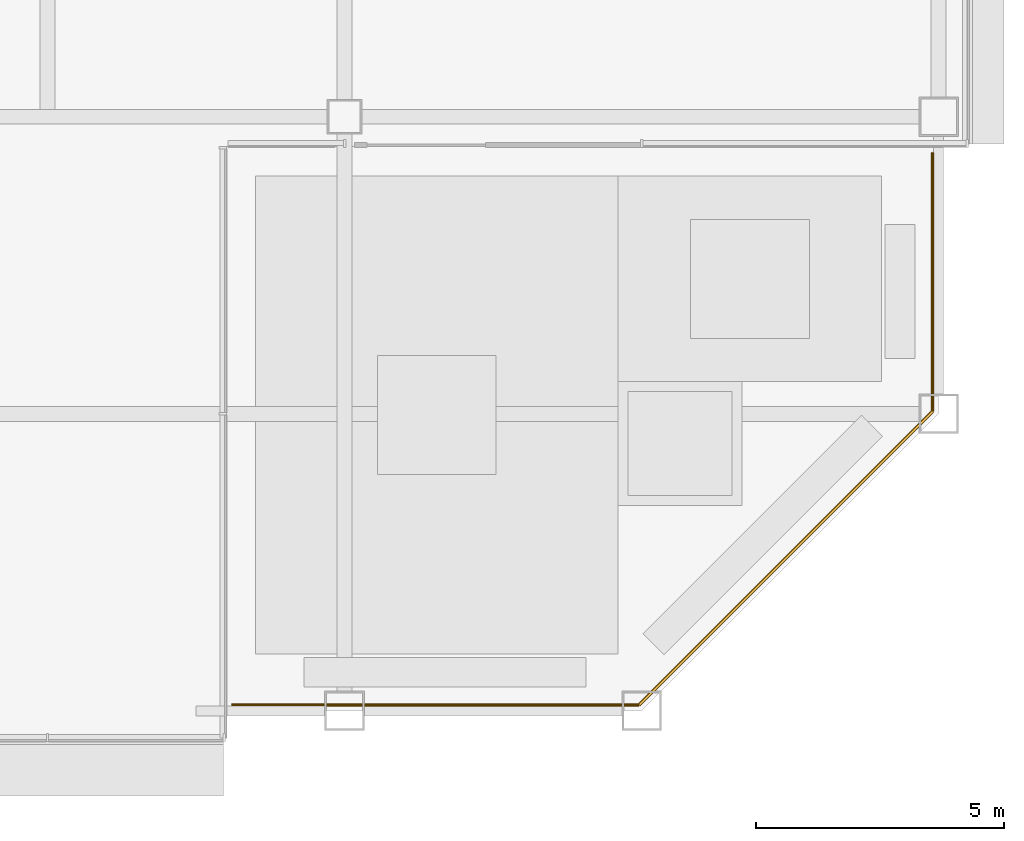
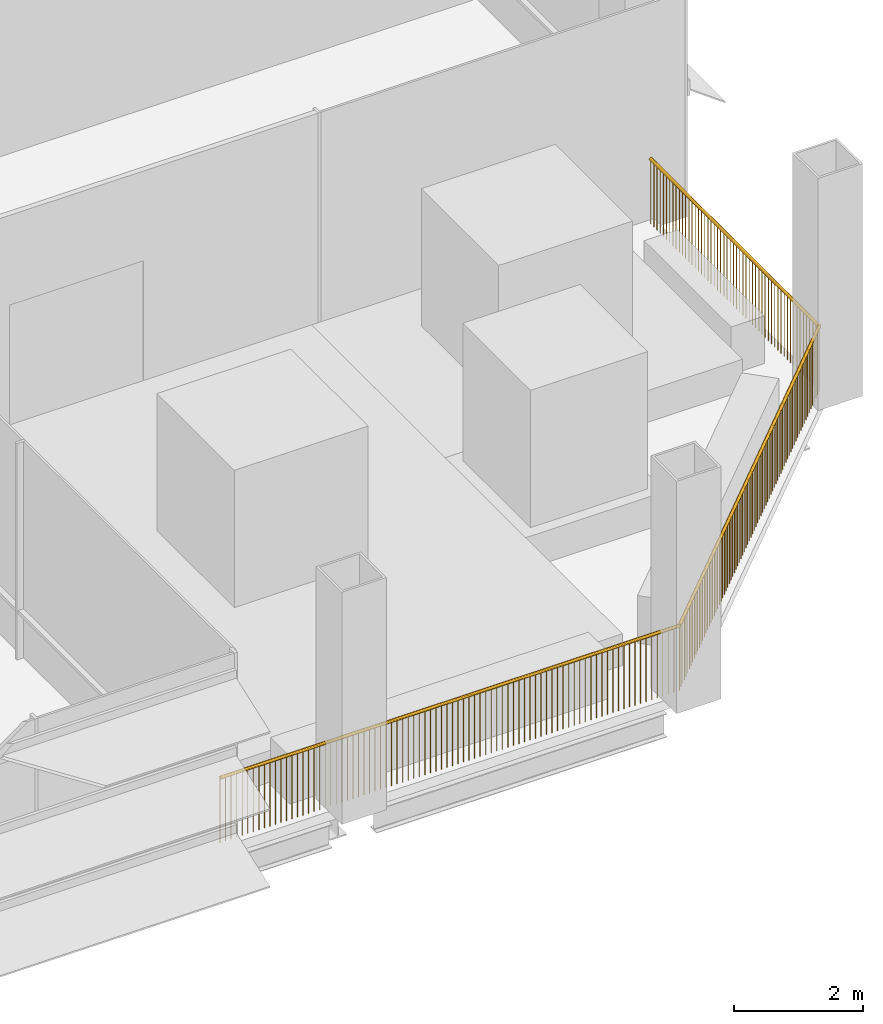
# One storey, part 25 of 28: 1 railing.
"""IFC4 building model written with IfcOpenShell, lengths in metres."""

import ifcopenshell
import ifcopenshell.guid

model = None  # the IFC model being written
_history = None  # IfcOwnerHistory: only IFC2X3 demands one
_inside = {}  # id of a spatial element -> (the spatial element, [elements in it])
_under = {}  # id of a project, library or spatial element -> (it, [spatial elements below it])
_declared = {}  # id of a project -> (the project, [libraries it declares])
_typed = {}  # id of a type object -> (the type object, [elements of that type])
_made_of = {}  # id of a material, layer set ... -> (it, [elements and type objects made of it])


def new_model(schema):
    """Start an empty IFC model of exactly this schema.

    Asked for "IFC4X3", IfcOpenShell would pick the latest addendum, in which some entities
    have other attributes; the version numbers below select the first issue.
    IFC2X3 requires an IfcOwnerHistory on every rooted entity: one is made here for all.
    """
    global model, _history
    if schema == "IFC4X3":
        model = ifcopenshell.file(schema_version=(4, 3, 0, 0))
    else:
        model = ifcopenshell.file(schema=schema)
    _inside.clear()
    _under.clear()
    _declared.clear()
    _typed.clear()
    _made_of.clear()
    _history = None
    if model.schema == "IFC2X3":
        org = make("IfcOrganization", Name="unknown")
        user = make(
            "IfcPersonAndOrganization",
            ThePerson=make("IfcPerson", FamilyName="unknown"),
            TheOrganization=org,
        )
        app = make(
            "IfcApplication",
            ApplicationDeveloper=org,
            Version="unknown",
            ApplicationFullName="unknown",
            ApplicationIdentifier="unknown",
        )
        _history = make(
            "IfcOwnerHistory",
            OwningUser=user,
            OwningApplication=app,
            ChangeAction="ADDED",
            CreationDate=0,
        )
    return model


def make(cls, **values):
    """One entity of the class cls with the attributes given. An attribute that is None is left unset."""
    return model.create_entity(
        cls, **{name: value for name, value in values.items() if value is not None}
    )


def rooted(cls, **values):
    """An entity with a GlobalId (a new one), such as an element, a storey or a relation."""
    return make(cls, GlobalId=ifcopenshell.guid.new(), OwnerHistory=_history, **values)


def si_unit(unit_type, name, prefix=None):
    """IfcSIUnit, for example si_unit("LENGTHUNIT", "METRE", prefix="MILLI")."""
    return make("IfcSIUnit", UnitType=unit_type, Prefix=prefix, Name=name)


def assignment(units):
    """IfcUnitAssignment: the units of a project."""
    return None if units is None else make("IfcUnitAssignment", Units=units)


def point(xyz):
    """IfcCartesianPoint."""
    return None if xyz is None else make("IfcCartesianPoint", Coordinates=xyz)


def direction(xyz):
    """IfcDirection."""
    return None if xyz is None else make("IfcDirection", DirectionRatios=xyz)


def frame(location, z_axis=None, x_axis=None):
    """IfcAxis2Placement3D, a coordinate frame: its origin and axes. An axis left out is left unset."""
    return make(
        "IfcAxis2Placement3D",
        Location=point(location),
        Axis=direction(z_axis),
        RefDirection=direction(x_axis),
    )


def frame_2d(location, x_axis=None):
    """IfcAxis2Placement2D, a coordinate frame in the plane: its origin and x axis."""
    return make(
        "IfcAxis2Placement2D", Location=point(location), RefDirection=direction(x_axis)
    )


def origin():
    """The frame at (0, 0, 0) with its axes left unset."""
    return frame((0.0, 0.0, 0.0))


def origin_2d():
    """The frame at (0, 0) in the plane with its x axis left unset."""
    return frame_2d((0.0, 0.0))


def place(relative_to, where):
    """IfcLocalPlacement: puts the frame where relative to a parent placement (None: the world)."""
    return make(
        "IfcLocalPlacement", PlacementRelTo=relative_to, RelativePlacement=where
    )


def context(
    kind, dimensions, precision=None, world=None, true_north=None, identifier=None
):
    """IfcGeometricRepresentationContext, for example the 3D "Model" context."""
    return make(
        "IfcGeometricRepresentationContext",
        ContextIdentifier=identifier,
        ContextType=kind,
        CoordinateSpaceDimension=dimensions,
        Precision=precision,
        WorldCoordinateSystem=world,
        TrueNorth=true_north,
    )


def subcontext(parent, identifier, kind, view, scale=None):
    """IfcGeometricRepresentationSubContext, for example "Body" below "Model"."""
    return make(
        "IfcGeometricRepresentationSubContext",
        ContextIdentifier=identifier,
        ContextType=kind,
        ParentContext=parent,
        TargetScale=scale,
        TargetView=view,
    )


def project(units=None, contexts=None):
    """IfcProject with its units and contexts."""
    return rooted(
        "IfcProject",
        Name="project",
        RepresentationContexts=contexts,
        UnitsInContext=assignment(units),
    )


def spatial(cls, under=None, at=None, **own):
    """A site, building, storey or space (cls), placed at a placement, below another one or the project."""
    s = rooted(cls, ObjectPlacement=at, **own)
    if under is not None:
        _under.setdefault(under.id(), (under, []))[1].append(s)
    return s


def profile(cls, at=None, kind="AREA", **sizes):
    """A parametric profile (cls). Its sizes go by their IFC names, for example OverallWidth=200.0."""
    return make(cls, ProfileType=kind, Position=at, **sizes)


def circle(**sizes):
    """IfcCircleProfileDef."""
    return profile("IfcCircleProfileDef", **sizes)


def extrude(swept, where, along, depth):
    """IfcExtrudedAreaSolid: the profile swept, set in the frame where, extruded along a direction by depth."""
    return make(
        "IfcExtrudedAreaSolid",
        SweptArea=swept,
        Position=where,
        ExtrudedDirection=direction(along),
        Depth=depth,
    )


def shape(context_of_items, identifier, shape_type, items):
    """IfcShapeRepresentation: the items that make up one representation, for example the "Body"."""
    return make(
        "IfcShapeRepresentation",
        ContextOfItems=context_of_items,
        RepresentationIdentifier=identifier,
        RepresentationType=shape_type,
        Items=items,
    )


def material(Name=None, Category=None):
    """IfcMaterial."""
    return make("IfcMaterial", Name=Name, Category=Category)


def made_of(thing, what):
    """Note that an element or type object is made of a material, layer set ...; save() writes the relation."""
    if what is not None:
        _made_of.setdefault(what.id(), (what, []))[1].append(thing)
    return thing


def type_object(cls, material=None, **own):
    """A type object (cls), such as IfcWallType, which elements share."""
    return made_of(rooted(cls, **own), material)


def element(
    cls,
    number,
    at=None,
    inside=None,
    cuts=None,
    type_object=None,
    material=None,
    context=None,
    identifier="Body",
    shape_type=None,
    held_by="IfcProductDefinitionShape",
    body=None,
    shapes=None,
    **own,
):
    """One element of the class cls, such as IfcWall. Its Tag is "e" and its number.

    at: its placement. inside: the storey or other place that contains it. cuts: it is an
    opening in that element (IfcRelVoidsElement). A single representation is given by context,
    identifier, shape_type and body (its items); several are given by shapes. held_by: the class
    of the entity that holds the representations. save() writes the other relations.
    """
    e = rooted(cls, Tag="e%d" % number, ObjectPlacement=at, **own)
    if body is not None:
        shapes = [shape(context, identifier, shape_type, body)]
    if shapes is not None:
        e.Representation = make(held_by, Representations=shapes)
    if inside is not None:
        _inside.setdefault(inside.id(), (inside, []))[1].append(e)
    if cuts is not None:
        rooted(
            "IfcRelVoidsElement", RelatingBuildingElement=cuts, RelatedOpeningElement=e
        )
    if type_object is not None:
        _typed.setdefault(type_object.id(), (type_object, []))[1].append(e)
    return made_of(e, material)


def aggregate(whole, parts):
    """IfcRelAggregates: a whole, such as a stair, and the parts it consists of."""
    return rooted("IfcRelAggregates", RelatingObject=whole, RelatedObjects=parts)


def save(model, path):
    """Write the relations noted so far, then the file.

    IfcRelAggregates (storeys below a building ...), IfcRelContainedInSpatialStructure (elements
    in a storey), IfcRelDefinesByType, IfcRelAssociatesMaterial and IfcRelDeclares: one each for
    every whole, place, type object, material and project.
    """
    for whole, parts in _under.values():
        aggregate(whole, parts)
    for where, things in _inside.values():
        rooted(
            "IfcRelContainedInSpatialStructure",
            RelatedElements=things,
            RelatingStructure=where,
        )
    for kind, things in _typed.values():
        rooted("IfcRelDefinesByType", RelatedObjects=things, RelatingType=kind)
    for what, things in _made_of.values():
        rooted("IfcRelAssociatesMaterial", RelatedObjects=things, RelatingMaterial=what)
    for by, libraries in _declared.values():
        rooted("IfcRelDeclares", RelatingContext=by, RelatedDefinitions=libraries)
    model.write(path)


model = new_model("IFC4")

# Units and contexts
model_context = context("Model", 3, precision=1e-05, world=origin(), true_north=direction((0.0, 1.0)))
body_context = subcontext(model_context, "Body", "Model", "MODEL_VIEW")
ifc_project = project(units=[si_unit("LENGTHUNIT", "METRE"), si_unit("AREAUNIT", "SQUARE_METRE"), si_unit("VOLUMEUNIT", "CUBIC_METRE"), si_unit("PLANEANGLEUNIT", "RADIAN"), si_unit("MASSUNIT", "GRAM", prefix="KILO")], contexts=[model_context])

# Site, building, storey
site_placement = place(None, origin())
site = spatial("IfcSite", under=ifc_project, at=site_placement, CompositionType="ELEMENT")
building_placement = place(site_placement, origin())
building = spatial("IfcBuilding", under=site, at=building_placement, Name="Sorahane Residences", CompositionType="ELEMENT")
storey_placement = place(building_placement, frame((0.0, 0.0, 134.0)))
storey = spatial("IfcBuildingStorey", under=building, at=storey_placement, Name="L30", CompositionType="ELEMENT", Elevation=134.0)

# Railing
ifc_material = material(Name="Clear low-iron glass with a black steel top rail", Category="steel")
railing_type = type_object("IfcRailingType", Name="Terrace guard black steel bars 1260", PredefinedType="GUARDRAIL", material=ifc_material)
railing_placement = place(storey_placement, frame((59.8798828125, 11.280029296875, 0.0)))
element("IfcRailing", 1, at=railing_placement, inside=storey, type_object=railing_type, Name="Terrace guard L30.1.1", PredefinedType="GUARDRAIL", context=body_context, shape_type="SweptSolid", body=[
    extrude(circle(Radius=0.030029296875, at=origin_2d()), frame((0.0, 0.0, 1.22998046875), z_axis=(0.0, -1.0, 0.0), x_axis=(1.0, 0.0, 0.0)), (0.0, 0.0, 1.0), 5.230224609375),
    extrude(circle(Radius=0.030029296875, at=origin_2d()), frame((0.0, -5.230224609375, 1.22998046875), z_axis=(-0.707106781187, -0.707106781187, 0.0), x_axis=(0.707106781187, -0.707106781187, 0.0)), (0.0, 0.0, 1.0), 8.3857421875),
    extrude(circle(Radius=0.030029296875, at=origin_2d()), frame((-5.9296875, -11.159912109375, 1.22998046875), z_axis=(-1.0, 0.0, 0.0), x_axis=(0.0, -1.0, 0.0)), (0.0, 0.0, 1.0), 8.230224609375),
    extrude(circle(Radius=0.0068359375, at=origin_2d()), origin(), (0.0, 0.0, 1.0), 1.199951171875),
    extrude(circle(Radius=0.0068359375, at=origin_2d()), frame((0.0, -0.0986328125, 0.0)), (0.0, 0.0, 1.0), 1.199951171875),
    extrude(circle(Radius=0.0068359375, at=origin_2d()), frame((0.0, -0.197265625, 0.0)), (0.0, 0.0, 1.0), 1.199951171875),
    extrude(circle(Radius=0.0068359375, at=origin_2d()), frame((0.0, -0.296142578125, 0.0)), (0.0, 0.0, 1.0), 1.199951171875),
    extrude(circle(Radius=0.0068359375, at=origin_2d()), frame((0.0, -0.394775390625, 0.0)), (0.0, 0.0, 1.0), 1.199951171875),
    extrude(circle(Radius=0.0068359375, at=origin_2d()), frame((0.0, -0.493408203125, 0.0)), (0.0, 0.0, 1.0), 1.199951171875),
    extrude(circle(Radius=0.0068359375, at=origin_2d()), frame((0.0, -0.592041015625, 0.0)), (0.0, 0.0, 1.0), 1.199951171875),
    extrude(circle(Radius=0.0068359375, at=origin_2d()), frame((0.0, -0.690673828125, 0.0)), (0.0, 0.0, 1.0), 1.199951171875),
    extrude(circle(Radius=0.0068359375, at=origin_2d()), frame((0.0, -0.78955078125, 0.0)), (0.0, 0.0, 1.0), 1.199951171875),
    extrude(circle(Radius=0.0068359375, at=origin_2d()), frame((0.0, -0.88818359375, 0.0)), (0.0, 0.0, 1.0), 1.199951171875),
    extrude(circle(Radius=0.0068359375, at=origin_2d()), frame((0.0, -0.98681640625, 0.0)), (0.0, 0.0, 1.0), 1.199951171875),
    extrude(circle(Radius=0.0068359375, at=origin_2d()), frame((0.0, -1.08544921875, 0.0)), (0.0, 0.0, 1.0), 1.199951171875),
    extrude(circle(Radius=0.0068359375, at=origin_2d()), frame((0.0, -1.18408203125, 0.0)), (0.0, 0.0, 1.0), 1.199951171875),
    extrude(circle(Radius=0.0068359375, at=origin_2d()), frame((0.0, -1.282958984375, 0.0)), (0.0, 0.0, 1.0), 1.199951171875),
    extrude(circle(Radius=0.0068359375, at=origin_2d()), frame((0.0, -1.381591796875, 0.0)), (0.0, 0.0, 1.0), 1.199951171875),
    extrude(circle(Radius=0.0068359375, at=origin_2d()), frame((0.0, -1.480224609375, 0.0)), (0.0, 0.0, 1.0), 1.199951171875),
    extrude(circle(Radius=0.0068359375, at=origin_2d()), frame((0.0, -1.578857421875, 0.0)), (0.0, 0.0, 1.0), 1.199951171875),
    extrude(circle(Radius=0.0068359375, at=origin_2d()), frame((0.0, -1.677734375, 0.0)), (0.0, 0.0, 1.0), 1.199951171875),
    extrude(circle(Radius=0.0068359375, at=origin_2d()), frame((0.0, -1.7763671875, 0.0)), (0.0, 0.0, 1.0), 1.199951171875),
    extrude(circle(Radius=0.0068359375, at=origin_2d()), frame((0.0, -1.875, 0.0)), (0.0, 0.0, 1.0), 1.199951171875),
    extrude(circle(Radius=0.0068359375, at=origin_2d()), frame((0.0, -1.9736328125, 0.0)), (0.0, 0.0, 1.0), 1.199951171875),
    extrude(circle(Radius=0.0068359375, at=origin_2d()), frame((0.0, -2.072265625, 0.0)), (0.0, 0.0, 1.0), 1.199951171875),
    extrude(circle(Radius=0.0068359375, at=origin_2d()), frame((0.0, -2.171142578125, 0.0)), (0.0, 0.0, 1.0), 1.199951171875),
    extrude(circle(Radius=0.0068359375, at=origin_2d()), frame((0.0, -2.269775390625, 0.0)), (0.0, 0.0, 1.0), 1.199951171875),
    extrude(circle(Radius=0.0068359375, at=origin_2d()), frame((0.0, -2.368408203125, 0.0)), (0.0, 0.0, 1.0), 1.199951171875),
    extrude(circle(Radius=0.0068359375, at=origin_2d()), frame((0.0, -2.467041015625, 0.0)), (0.0, 0.0, 1.0), 1.199951171875),
    extrude(circle(Radius=0.0068359375, at=origin_2d()), frame((0.0, -2.565673828125, 0.0)), (0.0, 0.0, 1.0), 1.199951171875),
    extrude(circle(Radius=0.0068359375, at=origin_2d()), frame((0.0, -2.66455078125, 0.0)), (0.0, 0.0, 1.0), 1.199951171875),
    extrude(circle(Radius=0.0068359375, at=origin_2d()), frame((0.0, -2.76318359375, 0.0)), (0.0, 0.0, 1.0), 1.199951171875),
    extrude(circle(Radius=0.0068359375, at=origin_2d()), frame((0.0, -2.86181640625, 0.0)), (0.0, 0.0, 1.0), 1.199951171875),
    extrude(circle(Radius=0.0068359375, at=origin_2d()), frame((0.0, -2.96044921875, 0.0)), (0.0, 0.0, 1.0), 1.199951171875),
    extrude(circle(Radius=0.0068359375, at=origin_2d()), frame((0.0, -3.05908203125, 0.0)), (0.0, 0.0, 1.0), 1.199951171875),
    extrude(circle(Radius=0.0068359375, at=origin_2d()), frame((0.0, -3.157958984375, 0.0)), (0.0, 0.0, 1.0), 1.199951171875),
    extrude(circle(Radius=0.0068359375, at=origin_2d()), frame((0.0, -3.256591796875, 0.0)), (0.0, 0.0, 1.0), 1.199951171875),
    extrude(circle(Radius=0.0068359375, at=origin_2d()), frame((0.0, -3.355224609375, 0.0)), (0.0, 0.0, 1.0), 1.199951171875),
    extrude(circle(Radius=0.0068359375, at=origin_2d()), frame((0.0, -3.453857421875, 0.0)), (0.0, 0.0, 1.0), 1.199951171875),
    extrude(circle(Radius=0.0068359375, at=origin_2d()), frame((0.0, -3.552490234375, 0.0)), (0.0, 0.0, 1.0), 1.199951171875),
    extrude(circle(Radius=0.0068359375, at=origin_2d()), frame((0.0, -3.6513671875, 0.0)), (0.0, 0.0, 1.0), 1.199951171875),
    extrude(circle(Radius=0.0068359375, at=origin_2d()), frame((0.0, -3.75, 0.0)), (0.0, 0.0, 1.0), 1.199951171875),
    extrude(circle(Radius=0.0068359375, at=origin_2d()), frame((0.0, -3.8486328125, 0.0)), (0.0, 0.0, 1.0), 1.199951171875),
    extrude(circle(Radius=0.0068359375, at=origin_2d()), frame((0.0, -3.947265625, 0.0)), (0.0, 0.0, 1.0), 1.199951171875),
    extrude(circle(Radius=0.0068359375, at=origin_2d()), frame((0.0, -4.046142578125, 0.0)), (0.0, 0.0, 1.0), 1.199951171875),
    extrude(circle(Radius=0.0068359375, at=origin_2d()), frame((0.0, -4.144775390625, 0.0)), (0.0, 0.0, 1.0), 1.199951171875),
    extrude(circle(Radius=0.0068359375, at=origin_2d()), frame((0.0, -4.243408203125, 0.0)), (0.0, 0.0, 1.0), 1.199951171875),
    extrude(circle(Radius=0.0068359375, at=origin_2d()), frame((0.0, -4.342041015625, 0.0)), (0.0, 0.0, 1.0), 1.199951171875),
    extrude(circle(Radius=0.0068359375, at=origin_2d()), frame((0.0, -4.440673828125, 0.0)), (0.0, 0.0, 1.0), 1.199951171875),
    extrude(circle(Radius=0.0068359375, at=origin_2d()), frame((0.0, -4.53955078125, 0.0)), (0.0, 0.0, 1.0), 1.199951171875),
    extrude(circle(Radius=0.0068359375, at=origin_2d()), frame((0.0, -4.63818359375, 0.0)), (0.0, 0.0, 1.0), 1.199951171875),
    extrude(circle(Radius=0.0068359375, at=origin_2d()), frame((0.0, -4.73681640625, 0.0)), (0.0, 0.0, 1.0), 1.199951171875),
    extrude(circle(Radius=0.0068359375, at=origin_2d()), frame((0.0, -4.83544921875, 0.0)), (0.0, 0.0, 1.0), 1.199951171875),
    extrude(circle(Radius=0.0068359375, at=origin_2d()), frame((0.0, -4.93408203125, 0.0)), (0.0, 0.0, 1.0), 1.199951171875),
    extrude(circle(Radius=0.0068359375, at=origin_2d()), frame((0.0, -5.032958984375, 0.0)), (0.0, 0.0, 1.0), 1.199951171875),
    extrude(circle(Radius=0.0068359375, at=origin_2d()), frame((0.0, -5.131591796875, 0.0)), (0.0, 0.0, 1.0), 1.199951171875),
    extrude(circle(Radius=0.0068359375, at=origin_2d()), frame((0.0, -5.230224609375, 0.0)), (0.0, 0.0, 1.0), 1.199951171875),
    extrude(circle(Radius=0.0068359375, at=origin_2d()), frame((-0.070556640625, -5.30078125, 0.0)), (0.0, 0.0, 1.0), 1.199951171875),
    extrude(circle(Radius=0.0068359375, at=origin_2d()), frame((-0.14111328125, -5.371337890625, 0.0)), (0.0, 0.0, 1.0), 1.199951171875),
    extrude(circle(Radius=0.0068359375, at=origin_2d()), frame((-0.211669921875, -5.44189453125, 0.0)), (0.0, 0.0, 1.0), 1.199951171875),
    extrude(circle(Radius=0.0068359375, at=origin_2d()), frame((-0.282470703125, -5.5126953125, 0.0)), (0.0, 0.0, 1.0), 1.199951171875),
    extrude(circle(Radius=0.0068359375, at=origin_2d()), frame((-0.35302734375, -5.583251953125, 0.0)), (0.0, 0.0, 1.0), 1.199951171875),
    extrude(circle(Radius=0.0068359375, at=origin_2d()), frame((-0.423583984375, -5.65380859375, 0.0)), (0.0, 0.0, 1.0), 1.199951171875),
    extrude(circle(Radius=0.0068359375, at=origin_2d()), frame((-0.494140625, -5.724365234375, 0.0)), (0.0, 0.0, 1.0), 1.199951171875),
    extrude(circle(Radius=0.0068359375, at=origin_2d()), frame((-0.564697265625, -5.794921875, 0.0)), (0.0, 0.0, 1.0), 1.199951171875),
    extrude(circle(Radius=0.0068359375, at=origin_2d()), frame((-0.63525390625, -5.865478515625, 0.0)), (0.0, 0.0, 1.0), 1.199951171875),
    extrude(circle(Radius=0.0068359375, at=origin_2d()), frame((-0.705810546875, -5.93603515625, 0.0)), (0.0, 0.0, 1.0), 1.199951171875),
    extrude(circle(Radius=0.0068359375, at=origin_2d()), frame((-0.776611328125, -6.0068359375, 0.0)), (0.0, 0.0, 1.0), 1.199951171875),
    extrude(circle(Radius=0.0068359375, at=origin_2d()), frame((-0.84716796875, -6.077392578125, 0.0)), (0.0, 0.0, 1.0), 1.199951171875),
    extrude(circle(Radius=0.0068359375, at=origin_2d()), frame((-0.917724609375, -6.14794921875, 0.0)), (0.0, 0.0, 1.0), 1.199951171875),
    extrude(circle(Radius=0.0068359375, at=origin_2d()), frame((-0.98828125, -6.218505859375, 0.0)), (0.0, 0.0, 1.0), 1.199951171875),
    extrude(circle(Radius=0.0068359375, at=origin_2d()), frame((-1.058837890625, -6.2890625, 0.0)), (0.0, 0.0, 1.0), 1.199951171875),
    extrude(circle(Radius=0.0068359375, at=origin_2d()), frame((-1.12939453125, -6.359619140625, 0.0)), (0.0, 0.0, 1.0), 1.199951171875),
    extrude(circle(Radius=0.0068359375, at=origin_2d()), frame((-1.199951171875, -6.43017578125, 0.0)), (0.0, 0.0, 1.0), 1.199951171875),
    extrude(circle(Radius=0.0068359375, at=origin_2d()), frame((-1.270751953125, -6.5009765625, 0.0)), (0.0, 0.0, 1.0), 1.199951171875),
    extrude(circle(Radius=0.0068359375, at=origin_2d()), frame((-1.34130859375, -6.571533203125, 0.0)), (0.0, 0.0, 1.0), 1.199951171875),
    extrude(circle(Radius=0.0068359375, at=origin_2d()), frame((-1.411865234375, -6.64208984375, 0.0)), (0.0, 0.0, 1.0), 1.199951171875),
    extrude(circle(Radius=0.0068359375, at=origin_2d()), frame((-1.482421875, -6.712646484375, 0.0)), (0.0, 0.0, 1.0), 1.199951171875),
    extrude(circle(Radius=0.0068359375, at=origin_2d()), frame((-1.552978515625, -6.783203125, 0.0)), (0.0, 0.0, 1.0), 1.199951171875),
    extrude(circle(Radius=0.0068359375, at=origin_2d()), frame((-1.62353515625, -6.853759765625, 0.0)), (0.0, 0.0, 1.0), 1.199951171875),
    extrude(circle(Radius=0.0068359375, at=origin_2d()), frame((-1.694091796875, -6.92431640625, 0.0)), (0.0, 0.0, 1.0), 1.199951171875),
    extrude(circle(Radius=0.0068359375, at=origin_2d()), frame((-1.764892578125, -6.9951171875, 0.0)), (0.0, 0.0, 1.0), 1.199951171875),
    extrude(circle(Radius=0.0068359375, at=origin_2d()), frame((-1.83544921875, -7.065673828125, 0.0)), (0.0, 0.0, 1.0), 1.199951171875),
    extrude(circle(Radius=0.0068359375, at=origin_2d()), frame((-1.906005859375, -7.13623046875, 0.0)), (0.0, 0.0, 1.0), 1.199951171875),
    extrude(circle(Radius=0.0068359375, at=origin_2d()), frame((-1.9765625, -7.206787109375, 0.0)), (0.0, 0.0, 1.0), 1.199951171875),
    extrude(circle(Radius=0.0068359375, at=origin_2d()), frame((-2.047119140625, -7.27734375, 0.0)), (0.0, 0.0, 1.0), 1.199951171875),
    extrude(circle(Radius=0.0068359375, at=origin_2d()), frame((-2.11767578125, -7.347900390625, 0.0)), (0.0, 0.0, 1.0), 1.199951171875),
    extrude(circle(Radius=0.0068359375, at=origin_2d()), frame((-2.188232421875, -7.41845703125, 0.0)), (0.0, 0.0, 1.0), 1.199951171875),
    extrude(circle(Radius=0.0068359375, at=origin_2d()), frame((-2.259033203125, -7.4892578125, 0.0)), (0.0, 0.0, 1.0), 1.199951171875),
    extrude(circle(Radius=0.0068359375, at=origin_2d()), frame((-2.32958984375, -7.559814453125, 0.0)), (0.0, 0.0, 1.0), 1.199951171875),
    extrude(circle(Radius=0.0068359375, at=origin_2d()), frame((-2.400146484375, -7.63037109375, 0.0)), (0.0, 0.0, 1.0), 1.199951171875),
    extrude(circle(Radius=0.0068359375, at=origin_2d()), frame((-2.470703125, -7.700927734375, 0.0)), (0.0, 0.0, 1.0), 1.199951171875),
    extrude(circle(Radius=0.0068359375, at=origin_2d()), frame((-2.541259765625, -7.771484375, 0.0)), (0.0, 0.0, 1.0), 1.199951171875),
    extrude(circle(Radius=0.0068359375, at=origin_2d()), frame((-2.61181640625, -7.842041015625, 0.0)), (0.0, 0.0, 1.0), 1.199951171875),
    extrude(circle(Radius=0.0068359375, at=origin_2d()), frame((-2.682373046875, -7.91259765625, 0.0)), (0.0, 0.0, 1.0), 1.199951171875),
    extrude(circle(Radius=0.0068359375, at=origin_2d()), frame((-2.753173828125, -7.9833984375, 0.0)), (0.0, 0.0, 1.0), 1.199951171875),
    extrude(circle(Radius=0.0068359375, at=origin_2d()), frame((-2.82373046875, -8.053955078125, 0.0)), (0.0, 0.0, 1.0), 1.199951171875),
    extrude(circle(Radius=0.0068359375, at=origin_2d()), frame((-2.894287109375, -8.12451171875, 0.0)), (0.0, 0.0, 1.0), 1.199951171875),
    extrude(circle(Radius=0.0068359375, at=origin_2d()), frame((-2.96484375, -8.195068359375, 0.0)), (0.0, 0.0, 1.0), 1.199951171875),
    extrude(circle(Radius=0.0068359375, at=origin_2d()), frame((-3.035400390625, -8.265625, 0.0)), (0.0, 0.0, 1.0), 1.199951171875),
    extrude(circle(Radius=0.0068359375, at=origin_2d()), frame((-3.10595703125, -8.336181640625, 0.0)), (0.0, 0.0, 1.0), 1.199951171875),
    extrude(circle(Radius=0.0068359375, at=origin_2d()), frame((-3.176513671875, -8.40673828125, 0.0)), (0.0, 0.0, 1.0), 1.199951171875),
    extrude(circle(Radius=0.0068359375, at=origin_2d()), frame((-3.247314453125, -8.4775390625, 0.0)), (0.0, 0.0, 1.0), 1.199951171875),
    extrude(circle(Radius=0.0068359375, at=origin_2d()), frame((-3.31787109375, -8.548095703125, 0.0)), (0.0, 0.0, 1.0), 1.199951171875),
    extrude(circle(Radius=0.0068359375, at=origin_2d()), frame((-3.388427734375, -8.61865234375, 0.0)), (0.0, 0.0, 1.0), 1.199951171875),
    extrude(circle(Radius=0.0068359375, at=origin_2d()), frame((-3.458984375, -8.689208984375, 0.0)), (0.0, 0.0, 1.0), 1.199951171875),
    extrude(circle(Radius=0.0068359375, at=origin_2d()), frame((-3.529541015625, -8.759765625, 0.0)), (0.0, 0.0, 1.0), 1.199951171875),
    extrude(circle(Radius=0.0068359375, at=origin_2d()), frame((-3.60009765625, -8.830322265625, 0.0)), (0.0, 0.0, 1.0), 1.199951171875),
    extrude(circle(Radius=0.0068359375, at=origin_2d()), frame((-3.670654296875, -8.90087890625, 0.0)), (0.0, 0.0, 1.0), 1.199951171875),
    extrude(circle(Radius=0.0068359375, at=origin_2d()), frame((-3.741455078125, -8.9716796875, 0.0)), (0.0, 0.0, 1.0), 1.199951171875),
    extrude(circle(Radius=0.0068359375, at=origin_2d()), frame((-3.81201171875, -9.042236328125, 0.0)), (0.0, 0.0, 1.0), 1.199951171875),
    extrude(circle(Radius=0.0068359375, at=origin_2d()), frame((-3.882568359375, -9.11279296875, 0.0)), (0.0, 0.0, 1.0), 1.199951171875),
    extrude(circle(Radius=0.0068359375, at=origin_2d()), frame((-3.953125, -9.183349609375, 0.0)), (0.0, 0.0, 1.0), 1.199951171875),
    extrude(circle(Radius=0.0068359375, at=origin_2d()), frame((-4.023681640625, -9.25390625, 0.0)), (0.0, 0.0, 1.0), 1.199951171875),
    extrude(circle(Radius=0.0068359375, at=origin_2d()), frame((-4.09423828125, -9.324462890625, 0.0)), (0.0, 0.0, 1.0), 1.199951171875),
    extrude(circle(Radius=0.0068359375, at=origin_2d()), frame((-4.164794921875, -9.39501953125, 0.0)), (0.0, 0.0, 1.0), 1.199951171875),
    extrude(circle(Radius=0.0068359375, at=origin_2d()), frame((-4.235595703125, -9.4658203125, 0.0)), (0.0, 0.0, 1.0), 1.199951171875),
    extrude(circle(Radius=0.0068359375, at=origin_2d()), frame((-4.30615234375, -9.536376953125, 0.0)), (0.0, 0.0, 1.0), 1.199951171875),
    extrude(circle(Radius=0.0068359375, at=origin_2d()), frame((-4.376708984375, -9.60693359375, 0.0)), (0.0, 0.0, 1.0), 1.199951171875),
    extrude(circle(Radius=0.0068359375, at=origin_2d()), frame((-4.447265625, -9.677490234375, 0.0)), (0.0, 0.0, 1.0), 1.199951171875),
    extrude(circle(Radius=0.0068359375, at=origin_2d()), frame((-4.517822265625, -9.748046875, 0.0)), (0.0, 0.0, 1.0), 1.199951171875),
    extrude(circle(Radius=0.0068359375, at=origin_2d()), frame((-4.58837890625, -9.818603515625, 0.0)), (0.0, 0.0, 1.0), 1.199951171875),
    extrude(circle(Radius=0.0068359375, at=origin_2d()), frame((-4.658935546875, -9.88916015625, 0.0)), (0.0, 0.0, 1.0), 1.199951171875),
    extrude(circle(Radius=0.0068359375, at=origin_2d()), frame((-4.729736328125, -9.9599609375, 0.0)), (0.0, 0.0, 1.0), 1.199951171875),
    extrude(circle(Radius=0.0068359375, at=origin_2d()), frame((-4.80029296875, -10.030517578125, 0.0)), (0.0, 0.0, 1.0), 1.199951171875),
    extrude(circle(Radius=0.0068359375, at=origin_2d()), frame((-4.870849609375, -10.10107421875, 0.0)), (0.0, 0.0, 1.0), 1.199951171875),
    extrude(circle(Radius=0.0068359375, at=origin_2d()), frame((-4.94140625, -10.171630859375, 0.0)), (0.0, 0.0, 1.0), 1.199951171875),
    extrude(circle(Radius=0.0068359375, at=origin_2d()), frame((-5.011962890625, -10.2421875, 0.0)), (0.0, 0.0, 1.0), 1.199951171875),
    extrude(circle(Radius=0.0068359375, at=origin_2d()), frame((-5.08251953125, -10.312744140625, 0.0)), (0.0, 0.0, 1.0), 1.199951171875),
    extrude(circle(Radius=0.0068359375, at=origin_2d()), frame((-5.153076171875, -10.38330078125, 0.0)), (0.0, 0.0, 1.0), 1.199951171875),
    extrude(circle(Radius=0.0068359375, at=origin_2d()), frame((-5.223876953125, -10.4541015625, 0.0)), (0.0, 0.0, 1.0), 1.199951171875),
    extrude(circle(Radius=0.0068359375, at=origin_2d()), frame((-5.29443359375, -10.524658203125, 0.0)), (0.0, 0.0, 1.0), 1.199951171875),
    extrude(circle(Radius=0.0068359375, at=origin_2d()), frame((-5.364990234375, -10.59521484375, 0.0)), (0.0, 0.0, 1.0), 1.199951171875),
    extrude(circle(Radius=0.0068359375, at=origin_2d()), frame((-5.435546875, -10.665771484375, 0.0)), (0.0, 0.0, 1.0), 1.199951171875),
    extrude(circle(Radius=0.0068359375, at=origin_2d()), frame((-5.506103515625, -10.736328125, 0.0)), (0.0, 0.0, 1.0), 1.199951171875),
    extrude(circle(Radius=0.0068359375, at=origin_2d()), frame((-5.57666015625, -10.806884765625, 0.0)), (0.0, 0.0, 1.0), 1.199951171875),
    extrude(circle(Radius=0.0068359375, at=origin_2d()), frame((-5.647216796875, -10.87744140625, 0.0)), (0.0, 0.0, 1.0), 1.199951171875),
    extrude(circle(Radius=0.0068359375, at=origin_2d()), frame((-5.718017578125, -10.9482421875, 0.0)), (0.0, 0.0, 1.0), 1.199951171875),
    extrude(circle(Radius=0.0068359375, at=origin_2d()), frame((-5.78857421875, -11.018798828125, 0.0)), (0.0, 0.0, 1.0), 1.199951171875),
    extrude(circle(Radius=0.0068359375, at=origin_2d()), frame((-5.859130859375, -11.08935546875, 0.0)), (0.0, 0.0, 1.0), 1.199951171875),
    extrude(circle(Radius=0.0068359375, at=origin_2d()), frame((-5.9296875, -11.159912109375, 0.0)), (0.0, 0.0, 1.0), 1.199951171875),
    extrude(circle(Radius=0.0068359375, at=origin_2d()), frame((-6.02880859375, -11.159912109375, 0.0)), (0.0, 0.0, 1.0), 1.199951171875),
    extrude(circle(Radius=0.0068359375, at=origin_2d()), frame((-6.1279296875, -11.159912109375, 0.0)), (0.0, 0.0, 1.0), 1.199951171875),
    extrude(circle(Radius=0.0068359375, at=origin_2d()), frame((-6.22705078125, -11.159912109375, 0.0)), (0.0, 0.0, 1.0), 1.199951171875),
    extrude(circle(Radius=0.0068359375, at=origin_2d()), frame((-6.326416015625, -11.159912109375, 0.0)), (0.0, 0.0, 1.0), 1.199951171875),
    extrude(circle(Radius=0.0068359375, at=origin_2d()), frame((-6.425537109375, -11.159912109375, 0.0)), (0.0, 0.0, 1.0), 1.199951171875),
    extrude(circle(Radius=0.0068359375, at=origin_2d()), frame((-6.524658203125, -11.159912109375, 0.0)), (0.0, 0.0, 1.0), 1.199951171875),
    extrude(circle(Radius=0.0068359375, at=origin_2d()), frame((-6.623779296875, -11.159912109375, 0.0)), (0.0, 0.0, 1.0), 1.199951171875),
    extrude(circle(Radius=0.0068359375, at=origin_2d()), frame((-6.722900390625, -11.159912109375, 0.0)), (0.0, 0.0, 1.0), 1.199951171875),
    extrude(circle(Radius=0.0068359375, at=origin_2d()), frame((-6.822021484375, -11.159912109375, 0.0)), (0.0, 0.0, 1.0), 1.199951171875),
    extrude(circle(Radius=0.0068359375, at=origin_2d()), frame((-6.92138671875, -11.159912109375, 0.0)), (0.0, 0.0, 1.0), 1.199951171875),
    extrude(circle(Radius=0.0068359375, at=origin_2d()), frame((-7.0205078125, -11.159912109375, 0.0)), (0.0, 0.0, 1.0), 1.199951171875),
    extrude(circle(Radius=0.0068359375, at=origin_2d()), frame((-7.11962890625, -11.159912109375, 0.0)), (0.0, 0.0, 1.0), 1.199951171875),
    extrude(circle(Radius=0.0068359375, at=origin_2d()), frame((-7.21875, -11.159912109375, 0.0)), (0.0, 0.0, 1.0), 1.199951171875),
    extrude(circle(Radius=0.0068359375, at=origin_2d()), frame((-7.31787109375, -11.159912109375, 0.0)), (0.0, 0.0, 1.0), 1.199951171875),
    extrude(circle(Radius=0.0068359375, at=origin_2d()), frame((-7.4169921875, -11.159912109375, 0.0)), (0.0, 0.0, 1.0), 1.199951171875),
    extrude(circle(Radius=0.0068359375, at=origin_2d()), frame((-7.516357421875, -11.159912109375, 0.0)), (0.0, 0.0, 1.0), 1.199951171875),
    extrude(circle(Radius=0.0068359375, at=origin_2d()), frame((-7.615478515625, -11.159912109375, 0.0)), (0.0, 0.0, 1.0), 1.199951171875),
    extrude(circle(Radius=0.0068359375, at=origin_2d()), frame((-7.714599609375, -11.159912109375, 0.0)), (0.0, 0.0, 1.0), 1.199951171875),
    extrude(circle(Radius=0.0068359375, at=origin_2d()), frame((-7.813720703125, -11.159912109375, 0.0)), (0.0, 0.0, 1.0), 1.199951171875),
    extrude(circle(Radius=0.0068359375, at=origin_2d()), frame((-7.912841796875, -11.159912109375, 0.0)), (0.0, 0.0, 1.0), 1.199951171875),
    extrude(circle(Radius=0.0068359375, at=origin_2d()), frame((-8.011962890625, -11.159912109375, 0.0)), (0.0, 0.0, 1.0), 1.199951171875),
    extrude(circle(Radius=0.0068359375, at=origin_2d()), frame((-8.111083984375, -11.159912109375, 0.0)), (0.0, 0.0, 1.0), 1.199951171875),
    extrude(circle(Radius=0.0068359375, at=origin_2d()), frame((-8.21044921875, -11.159912109375, 0.0)), (0.0, 0.0, 1.0), 1.199951171875),
    extrude(circle(Radius=0.0068359375, at=origin_2d()), frame((-8.3095703125, -11.159912109375, 0.0)), (0.0, 0.0, 1.0), 1.199951171875),
    extrude(circle(Radius=0.0068359375, at=origin_2d()), frame((-8.40869140625, -11.159912109375, 0.0)), (0.0, 0.0, 1.0), 1.199951171875),
    extrude(circle(Radius=0.0068359375, at=origin_2d()), frame((-8.5078125, -11.159912109375, 0.0)), (0.0, 0.0, 1.0), 1.199951171875),
    extrude(circle(Radius=0.0068359375, at=origin_2d()), frame((-8.60693359375, -11.159912109375, 0.0)), (0.0, 0.0, 1.0), 1.199951171875),
    extrude(circle(Radius=0.0068359375, at=origin_2d()), frame((-8.7060546875, -11.159912109375, 0.0)), (0.0, 0.0, 1.0), 1.199951171875),
    extrude(circle(Radius=0.0068359375, at=origin_2d()), frame((-8.805419921875, -11.159912109375, 0.0)), (0.0, 0.0, 1.0), 1.199951171875),
    extrude(circle(Radius=0.0068359375, at=origin_2d()), frame((-8.904541015625, -11.159912109375, 0.0)), (0.0, 0.0, 1.0), 1.199951171875),
    extrude(circle(Radius=0.0068359375, at=origin_2d()), frame((-9.003662109375, -11.159912109375, 0.0)), (0.0, 0.0, 1.0), 1.199951171875),
    extrude(circle(Radius=0.0068359375, at=origin_2d()), frame((-9.102783203125, -11.159912109375, 0.0)), (0.0, 0.0, 1.0), 1.199951171875),
    extrude(circle(Radius=0.0068359375, at=origin_2d()), frame((-9.201904296875, -11.159912109375, 0.0)), (0.0, 0.0, 1.0), 1.199951171875),
    extrude(circle(Radius=0.0068359375, at=origin_2d()), frame((-9.301025390625, -11.159912109375, 0.0)), (0.0, 0.0, 1.0), 1.199951171875),
    extrude(circle(Radius=0.0068359375, at=origin_2d()), frame((-9.400146484375, -11.159912109375, 0.0)), (0.0, 0.0, 1.0), 1.199951171875),
    extrude(circle(Radius=0.0068359375, at=origin_2d()), frame((-9.49951171875, -11.159912109375, 0.0)), (0.0, 0.0, 1.0), 1.199951171875),
    extrude(circle(Radius=0.0068359375, at=origin_2d()), frame((-9.5986328125, -11.159912109375, 0.0)), (0.0, 0.0, 1.0), 1.199951171875),
    extrude(circle(Radius=0.0068359375, at=origin_2d()), frame((-9.69775390625, -11.159912109375, 0.0)), (0.0, 0.0, 1.0), 1.199951171875),
    extrude(circle(Radius=0.0068359375, at=origin_2d()), frame((-9.796875, -11.159912109375, 0.0)), (0.0, 0.0, 1.0), 1.199951171875),
    extrude(circle(Radius=0.0068359375, at=origin_2d()), frame((-9.89599609375, -11.159912109375, 0.0)), (0.0, 0.0, 1.0), 1.199951171875),
    extrude(circle(Radius=0.0068359375, at=origin_2d()), frame((-9.9951171875, -11.159912109375, 0.0)), (0.0, 0.0, 1.0), 1.199951171875),
    extrude(circle(Radius=0.0068359375, at=origin_2d()), frame((-10.094482421875, -11.159912109375, 0.0)), (0.0, 0.0, 1.0), 1.199951171875),
    extrude(circle(Radius=0.0068359375, at=origin_2d()), frame((-10.193603515625, -11.159912109375, 0.0)), (0.0, 0.0, 1.0), 1.199951171875),
    extrude(circle(Radius=0.0068359375, at=origin_2d()), frame((-10.292724609375, -11.159912109375, 0.0)), (0.0, 0.0, 1.0), 1.199951171875),
    extrude(circle(Radius=0.0068359375, at=origin_2d()), frame((-10.391845703125, -11.159912109375, 0.0)), (0.0, 0.0, 1.0), 1.199951171875),
    extrude(circle(Radius=0.0068359375, at=origin_2d()), frame((-10.490966796875, -11.159912109375, 0.0)), (0.0, 0.0, 1.0), 1.199951171875),
    extrude(circle(Radius=0.0068359375, at=origin_2d()), frame((-10.590087890625, -11.159912109375, 0.0)), (0.0, 0.0, 1.0), 1.199951171875),
    extrude(circle(Radius=0.0068359375, at=origin_2d()), frame((-10.689453125, -11.159912109375, 0.0)), (0.0, 0.0, 1.0), 1.199951171875),
    extrude(circle(Radius=0.0068359375, at=origin_2d()), frame((-10.78857421875, -11.159912109375, 0.0)), (0.0, 0.0, 1.0), 1.199951171875),
    extrude(circle(Radius=0.0068359375, at=origin_2d()), frame((-10.8876953125, -11.159912109375, 0.0)), (0.0, 0.0, 1.0), 1.199951171875),
    extrude(circle(Radius=0.0068359375, at=origin_2d()), frame((-10.98681640625, -11.159912109375, 0.0)), (0.0, 0.0, 1.0), 1.199951171875),
    extrude(circle(Radius=0.0068359375, at=origin_2d()), frame((-11.0859375, -11.159912109375, 0.0)), (0.0, 0.0, 1.0), 1.199951171875),
    extrude(circle(Radius=0.0068359375, at=origin_2d()), frame((-11.18505859375, -11.159912109375, 0.0)), (0.0, 0.0, 1.0), 1.199951171875),
    extrude(circle(Radius=0.0068359375, at=origin_2d()), frame((-11.2841796875, -11.159912109375, 0.0)), (0.0, 0.0, 1.0), 1.199951171875),
    extrude(circle(Radius=0.0068359375, at=origin_2d()), frame((-11.383544921875, -11.159912109375, 0.0)), (0.0, 0.0, 1.0), 1.199951171875),
    extrude(circle(Radius=0.0068359375, at=origin_2d()), frame((-11.482666015625, -11.159912109375, 0.0)), (0.0, 0.0, 1.0), 1.199951171875),
    extrude(circle(Radius=0.0068359375, at=origin_2d()), frame((-11.581787109375, -11.159912109375, 0.0)), (0.0, 0.0, 1.0), 1.199951171875),
    extrude(circle(Radius=0.0068359375, at=origin_2d()), frame((-11.680908203125, -11.159912109375, 0.0)), (0.0, 0.0, 1.0), 1.199951171875),
    extrude(circle(Radius=0.0068359375, at=origin_2d()), frame((-11.780029296875, -11.159912109375, 0.0)), (0.0, 0.0, 1.0), 1.199951171875),
    extrude(circle(Radius=0.0068359375, at=origin_2d()), frame((-11.879150390625, -11.159912109375, 0.0)), (0.0, 0.0, 1.0), 1.199951171875),
    extrude(circle(Radius=0.0068359375, at=origin_2d()), frame((-11.978515625, -11.159912109375, 0.0)), (0.0, 0.0, 1.0), 1.199951171875),
    extrude(circle(Radius=0.0068359375, at=origin_2d()), frame((-12.07763671875, -11.159912109375, 0.0)), (0.0, 0.0, 1.0), 1.199951171875),
    extrude(circle(Radius=0.0068359375, at=origin_2d()), frame((-12.1767578125, -11.159912109375, 0.0)), (0.0, 0.0, 1.0), 1.199951171875),
    extrude(circle(Radius=0.0068359375, at=origin_2d()), frame((-12.27587890625, -11.159912109375, 0.0)), (0.0, 0.0, 1.0), 1.199951171875),
    extrude(circle(Radius=0.0068359375, at=origin_2d()), frame((-12.375, -11.159912109375, 0.0)), (0.0, 0.0, 1.0), 1.199951171875),
    extrude(circle(Radius=0.0068359375, at=origin_2d()), frame((-12.47412109375, -11.159912109375, 0.0)), (0.0, 0.0, 1.0), 1.199951171875),
    extrude(circle(Radius=0.0068359375, at=origin_2d()), frame((-12.5732421875, -11.159912109375, 0.0)), (0.0, 0.0, 1.0), 1.199951171875),
    extrude(circle(Radius=0.0068359375, at=origin_2d()), frame((-12.672607421875, -11.159912109375, 0.0)), (0.0, 0.0, 1.0), 1.199951171875),
    extrude(circle(Radius=0.0068359375, at=origin_2d()), frame((-12.771728515625, -11.159912109375, 0.0)), (0.0, 0.0, 1.0), 1.199951171875),
    extrude(circle(Radius=0.0068359375, at=origin_2d()), frame((-12.870849609375, -11.159912109375, 0.0)), (0.0, 0.0, 1.0), 1.199951171875),
    extrude(circle(Radius=0.0068359375, at=origin_2d()), frame((-12.969970703125, -11.159912109375, 0.0)), (0.0, 0.0, 1.0), 1.199951171875),
    extrude(circle(Radius=0.0068359375, at=origin_2d()), frame((-13.069091796875, -11.159912109375, 0.0)), (0.0, 0.0, 1.0), 1.199951171875),
    extrude(circle(Radius=0.0068359375, at=origin_2d()), frame((-13.168212890625, -11.159912109375, 0.0)), (0.0, 0.0, 1.0), 1.199951171875),
    extrude(circle(Radius=0.0068359375, at=origin_2d()), frame((-13.267578125, -11.159912109375, 0.0)), (0.0, 0.0, 1.0), 1.199951171875),
    extrude(circle(Radius=0.0068359375, at=origin_2d()), frame((-13.36669921875, -11.159912109375, 0.0)), (0.0, 0.0, 1.0), 1.199951171875),
    extrude(circle(Radius=0.0068359375, at=origin_2d()), frame((-13.4658203125, -11.159912109375, 0.0)), (0.0, 0.0, 1.0), 1.199951171875),
    extrude(circle(Radius=0.0068359375, at=origin_2d()), frame((-13.56494140625, -11.159912109375, 0.0)), (0.0, 0.0, 1.0), 1.199951171875),
    extrude(circle(Radius=0.0068359375, at=origin_2d()), frame((-13.6640625, -11.159912109375, 0.0)), (0.0, 0.0, 1.0), 1.199951171875),
    extrude(circle(Radius=0.0068359375, at=origin_2d()), frame((-13.76318359375, -11.159912109375, 0.0)), (0.0, 0.0, 1.0), 1.199951171875),
    extrude(circle(Radius=0.0068359375, at=origin_2d()), frame((-13.862548828125, -11.159912109375, 0.0)), (0.0, 0.0, 1.0), 1.199951171875),
    extrude(circle(Radius=0.0068359375, at=origin_2d()), frame((-13.961669921875, -11.159912109375, 0.0)), (0.0, 0.0, 1.0), 1.199951171875),
    extrude(circle(Radius=0.0068359375, at=origin_2d()), frame((-14.060791015625, -11.159912109375, 0.0)), (0.0, 0.0, 1.0), 1.199951171875),
    extrude(circle(Radius=0.0068359375, at=origin_2d()), frame((-14.159912109375, -11.159912109375, 0.0)), (0.0, 0.0, 1.0), 1.199951171875),
])

save(model, "model.ifc")
